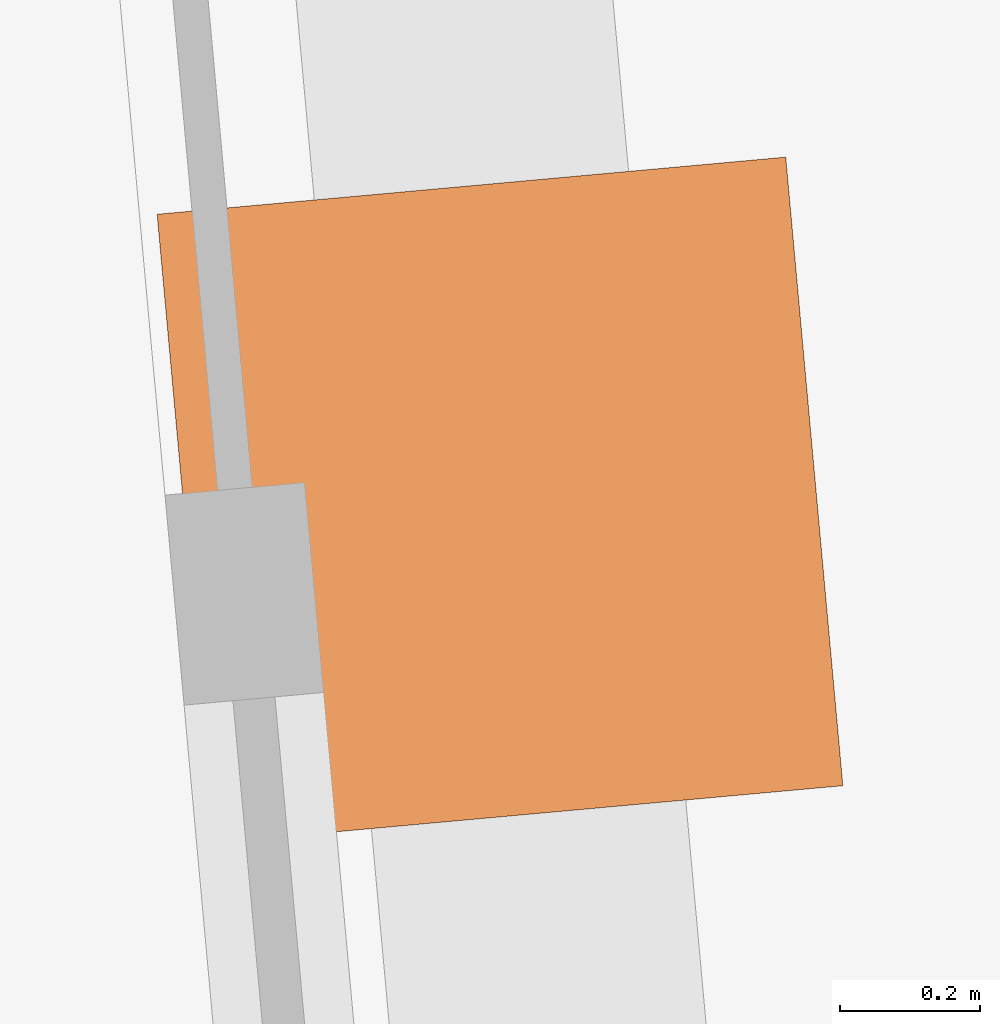
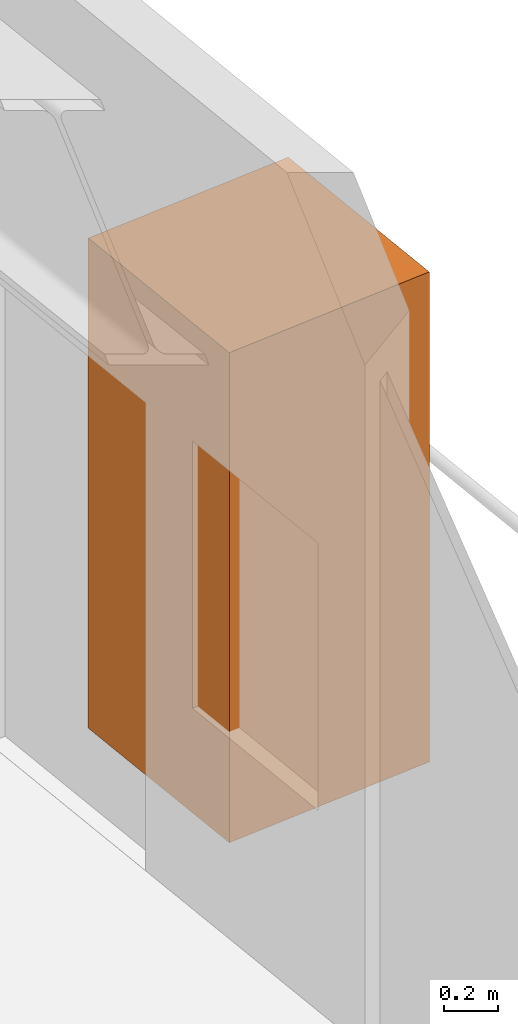
# One storey, part 9 of 9: 1 geographic element.
"""IFC4 building model written with IfcOpenShell, lengths in metres."""

import ifcopenshell
import ifcopenshell.guid

model = None  # the IFC model being written
_history = None  # IfcOwnerHistory: only IFC2X3 demands one
_inside = {}  # id of a spatial element -> (the spatial element, [elements in it])
_under = {}  # id of a project, library or spatial element -> (it, [spatial elements below it])
_declared = {}  # id of a project -> (the project, [libraries it declares])
_typed = {}  # id of a type object -> (the type object, [elements of that type])
_made_of = {}  # id of a material, layer set ... -> (it, [elements and type objects made of it])


def new_model(schema):
    """Start an empty IFC model of exactly this schema.

    Asked for "IFC4X3", IfcOpenShell would pick the latest addendum, in which some entities
    have other attributes; the version numbers below select the first issue.
    IFC2X3 requires an IfcOwnerHistory on every rooted entity: one is made here for all.
    """
    global model, _history
    if schema == "IFC4X3":
        model = ifcopenshell.file(schema_version=(4, 3, 0, 0))
    else:
        model = ifcopenshell.file(schema=schema)
    _inside.clear()
    _under.clear()
    _declared.clear()
    _typed.clear()
    _made_of.clear()
    _history = None
    if model.schema == "IFC2X3":
        org = make("IfcOrganization", Name="unknown")
        user = make(
            "IfcPersonAndOrganization",
            ThePerson=make("IfcPerson", FamilyName="unknown"),
            TheOrganization=org,
        )
        app = make(
            "IfcApplication",
            ApplicationDeveloper=org,
            Version="unknown",
            ApplicationFullName="unknown",
            ApplicationIdentifier="unknown",
        )
        _history = make(
            "IfcOwnerHistory",
            OwningUser=user,
            OwningApplication=app,
            ChangeAction="ADDED",
            CreationDate=0,
        )
    return model


def make(cls, **values):
    """One entity of the class cls with the attributes given. An attribute that is None is left unset."""
    return model.create_entity(
        cls, **{name: value for name, value in values.items() if value is not None}
    )


def rooted(cls, **values):
    """An entity with a GlobalId (a new one), such as an element, a storey or a relation."""
    return make(cls, GlobalId=ifcopenshell.guid.new(), OwnerHistory=_history, **values)


def si_unit(unit_type, name, prefix=None):
    """IfcSIUnit, for example si_unit("LENGTHUNIT", "METRE", prefix="MILLI")."""
    return make("IfcSIUnit", UnitType=unit_type, Prefix=prefix, Name=name)


def assignment(units):
    """IfcUnitAssignment: the units of a project."""
    return None if units is None else make("IfcUnitAssignment", Units=units)


def point(xyz):
    """IfcCartesianPoint."""
    return None if xyz is None else make("IfcCartesianPoint", Coordinates=xyz)


def direction(xyz):
    """IfcDirection."""
    return None if xyz is None else make("IfcDirection", DirectionRatios=xyz)


def frame(location, z_axis=None, x_axis=None):
    """IfcAxis2Placement3D, a coordinate frame: its origin and axes. An axis left out is left unset."""
    return make(
        "IfcAxis2Placement3D",
        Location=point(location),
        Axis=direction(z_axis),
        RefDirection=direction(x_axis),
    )


def frame_2d(location, x_axis=None):
    """IfcAxis2Placement2D, a coordinate frame in the plane: its origin and x axis."""
    return make(
        "IfcAxis2Placement2D", Location=point(location), RefDirection=direction(x_axis)
    )


def origin():
    """The frame at (0, 0, 0) with its axes left unset."""
    return frame((0.0, 0.0, 0.0))


def origin_2d():
    """The frame at (0, 0) in the plane with its x axis left unset."""
    return frame_2d((0.0, 0.0))


def place(relative_to, where):
    """IfcLocalPlacement: puts the frame where relative to a parent placement (None: the world)."""
    return make(
        "IfcLocalPlacement", PlacementRelTo=relative_to, RelativePlacement=where
    )


def context(
    kind, dimensions, precision=None, world=None, true_north=None, identifier=None
):
    """IfcGeometricRepresentationContext, for example the 3D "Model" context."""
    return make(
        "IfcGeometricRepresentationContext",
        ContextIdentifier=identifier,
        ContextType=kind,
        CoordinateSpaceDimension=dimensions,
        Precision=precision,
        WorldCoordinateSystem=world,
        TrueNorth=true_north,
    )


def subcontext(parent, identifier, kind, view, scale=None):
    """IfcGeometricRepresentationSubContext, for example "Body" below "Model"."""
    return make(
        "IfcGeometricRepresentationSubContext",
        ContextIdentifier=identifier,
        ContextType=kind,
        ParentContext=parent,
        TargetScale=scale,
        TargetView=view,
    )


def project(units=None, contexts=None):
    """IfcProject with its units and contexts."""
    return rooted(
        "IfcProject",
        Name="project",
        RepresentationContexts=contexts,
        UnitsInContext=assignment(units),
    )


def spatial(cls, under=None, at=None, **own):
    """A site, building, storey or space (cls), placed at a placement, below another one or the project."""
    s = rooted(cls, ObjectPlacement=at, **own)
    if under is not None:
        _under.setdefault(under.id(), (under, []))[1].append(s)
    return s


def profile(cls, at=None, kind="AREA", **sizes):
    """A parametric profile (cls). Its sizes go by their IFC names, for example OverallWidth=200.0."""
    return make(cls, ProfileType=kind, Position=at, **sizes)


def rectangle(**sizes):
    """IfcRectangleProfileDef."""
    return profile("IfcRectangleProfileDef", **sizes)


def extrude(swept, where, along, depth):
    """IfcExtrudedAreaSolid: the profile swept, set in the frame where, extruded along a direction by depth."""
    return make(
        "IfcExtrudedAreaSolid",
        SweptArea=swept,
        Position=where,
        ExtrudedDirection=direction(along),
        Depth=depth,
    )


def shape(context_of_items, identifier, shape_type, items):
    """IfcShapeRepresentation: the items that make up one representation, for example the "Body"."""
    return make(
        "IfcShapeRepresentation",
        ContextOfItems=context_of_items,
        RepresentationIdentifier=identifier,
        RepresentationType=shape_type,
        Items=items,
    )


def material(Name=None, Category=None):
    """IfcMaterial."""
    return make("IfcMaterial", Name=Name, Category=Category)


def made_of(thing, what):
    """Note that an element or type object is made of a material, layer set ...; save() writes the relation."""
    if what is not None:
        _made_of.setdefault(what.id(), (what, []))[1].append(thing)
    return thing


def type_object(cls, material=None, **own):
    """A type object (cls), such as IfcWallType, which elements share."""
    return made_of(rooted(cls, **own), material)


def element(
    cls,
    number,
    at=None,
    inside=None,
    cuts=None,
    type_object=None,
    material=None,
    context=None,
    identifier="Body",
    shape_type=None,
    held_by="IfcProductDefinitionShape",
    body=None,
    shapes=None,
    **own,
):
    """One element of the class cls, such as IfcWall. Its Tag is "e" and its number.

    at: its placement. inside: the storey or other place that contains it. cuts: it is an
    opening in that element (IfcRelVoidsElement). A single representation is given by context,
    identifier, shape_type and body (its items); several are given by shapes. held_by: the class
    of the entity that holds the representations. save() writes the other relations.
    """
    e = rooted(cls, Tag="e%d" % number, ObjectPlacement=at, **own)
    if body is not None:
        shapes = [shape(context, identifier, shape_type, body)]
    if shapes is not None:
        e.Representation = make(held_by, Representations=shapes)
    if inside is not None:
        _inside.setdefault(inside.id(), (inside, []))[1].append(e)
    if cuts is not None:
        rooted(
            "IfcRelVoidsElement", RelatingBuildingElement=cuts, RelatedOpeningElement=e
        )
    if type_object is not None:
        _typed.setdefault(type_object.id(), (type_object, []))[1].append(e)
    return made_of(e, material)


def aggregate(whole, parts):
    """IfcRelAggregates: a whole, such as a stair, and the parts it consists of."""
    return rooted("IfcRelAggregates", RelatingObject=whole, RelatedObjects=parts)


def save(model, path):
    """Write the relations noted so far, then the file.

    IfcRelAggregates (storeys below a building ...), IfcRelContainedInSpatialStructure (elements
    in a storey), IfcRelDefinesByType, IfcRelAssociatesMaterial and IfcRelDeclares: one each for
    every whole, place, type object, material and project.
    """
    for whole, parts in _under.values():
        aggregate(whole, parts)
    for where, things in _inside.values():
        rooted(
            "IfcRelContainedInSpatialStructure",
            RelatedElements=things,
            RelatingStructure=where,
        )
    for kind, things in _typed.values():
        rooted("IfcRelDefinesByType", RelatedObjects=things, RelatingType=kind)
    for what, things in _made_of.values():
        rooted("IfcRelAssociatesMaterial", RelatedObjects=things, RelatingMaterial=what)
    for by, libraries in _declared.values():
        rooted("IfcRelDeclares", RelatingContext=by, RelatedDefinitions=libraries)
    model.write(path)


model = new_model("IFC4")

# Units and contexts
model_context = context("Model", 3, precision=1e-05, world=origin(), true_north=direction((0.0, 1.0)))
body_context = subcontext(model_context, "Body", "Model", "MODEL_VIEW")
ifc_project = project(units=[si_unit("LENGTHUNIT", "METRE"), si_unit("AREAUNIT", "SQUARE_METRE"), si_unit("VOLUMEUNIT", "CUBIC_METRE"), si_unit("PLANEANGLEUNIT", "RADIAN"), si_unit("MASSUNIT", "GRAM", prefix="KILO")], contexts=[model_context])

# Site, building, storey
site_placement = place(None, origin())
site = spatial("IfcSite", under=ifc_project, at=site_placement, CompositionType="ELEMENT")
building_placement = place(site_placement, origin())
building = spatial("IfcBuilding", under=site, at=building_placement, Name="Verdant Reach Tower", CompositionType="ELEMENT")
storey_placement = place(building_placement, frame((0.0, 0.0, 30.0)))
storey = spatial("IfcBuildingStorey", under=building, at=storey_placement, Name="L06", CompositionType="ELEMENT", Elevation=30.0)

# Geographic element
ifc_material = material(Name="Planting")
geographic_element_type = type_object("IfcGeographicElementType", Name="EN-TREE", PredefinedType="USERDEFINED", material=ifc_material)
geographic_element_placement = place(storey_placement, frame((24.09814453125, 10.16796875, 0.39990234375), z_axis=(0.0, 0.0, 1.0), x_axis=(-0.090535746047, 0.995893206467, 0.0)))
element("IfcGeographicElement", 1, at=geographic_element_placement, inside=storey, type_object=geographic_element_type, Name="Balcony tree, Guabiroba (Campomanesia xanthocarpa), L06 1", ObjectType="TREE", PredefinedType="USERDEFINED", context=body_context, shape_type="SweptSolid", body=[
    extrude(rectangle(XDim=0.89990234375, YDim=0.89990234375, at=origin_2d()), origin(), (0.0, 0.0, 1.0), 2.199951171875),
])

save(model, "model.ifc")
